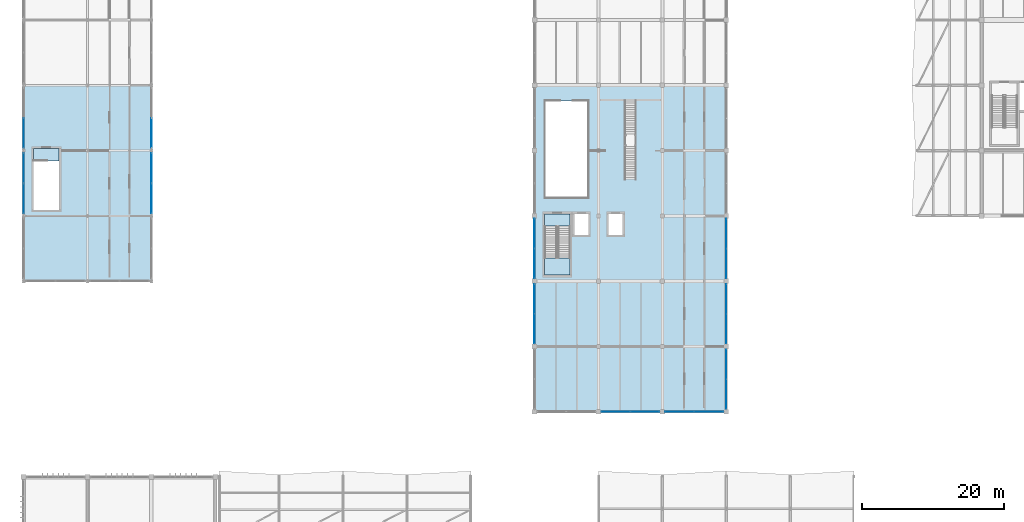
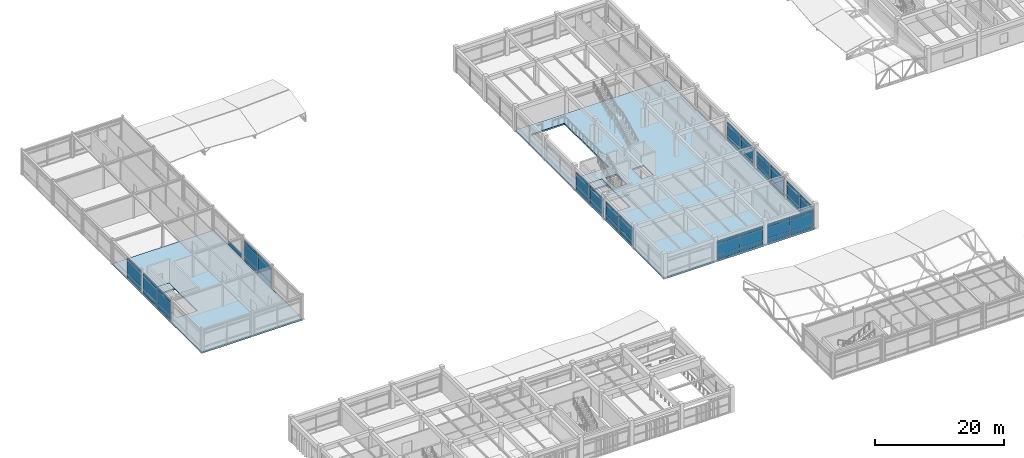
# One storey, part 55 of 90: 58 plates, 5 slabs, 12 elements without a shape of their own.
"""IFC4 building model written with IfcOpenShell, lengths in metres."""

from ifc_helpers import new_model, si_unit, direction, frame, origin, origin_2d, place, context, subcontext, project, spatial, polyline, rectangle, outline, extrude, material, layer, layer_set, type_object, element, aggregate, save


model = new_model("IFC4")

# Units and contexts
model_context = context("Model", 3, precision=1e-05, world=origin(), true_north=direction((0.0, 1.0)))
body_context = subcontext(model_context, "Body", "Model", "MODEL_VIEW")
ifc_project = project(units=[si_unit("LENGTHUNIT", "METRE"), si_unit("AREAUNIT", "SQUARE_METRE"), si_unit("VOLUMEUNIT", "CUBIC_METRE"), si_unit("PLANEANGLEUNIT", "RADIAN"), si_unit("MASSUNIT", "GRAM", prefix="KILO")], contexts=[model_context])

# Site, building, storey
site_placement = place(None, origin())
site = spatial("IfcSite", under=ifc_project, at=site_placement, CompositionType="ELEMENT")
building_placement = place(site_placement, origin())
building = spatial("IfcBuilding", under=site, at=building_placement, Name="Bozkorgan Art Gallery", CompositionType="ELEMENT")
storey_placement = place(building_placement, frame((0.0, 0.0, 5.39990234375)))
storey = spatial("IfcBuildingStorey", under=building, at=storey_placement, Name="L01", CompositionType="ELEMENT", Elevation=5.39990234375)

# Curtain wall, plates
ifc_material_1 = material(Name="Anodised Bronze Aluminium", Category="aluminium")
curtain_wall_type_1 = type_object("IfcCurtainWallType", Name="CW-CW-52", PredefinedType="NOTDEFINED", material=ifc_material_1)
curtain_wall_1_placement = place(storey_placement, origin())
curtain_wall_1 = element("IfcCurtainWall", 1, at=curtain_wall_1_placement, inside=storey, type_object=curtain_wall_type_1, Name="L01 unitised curtain wall CW-V2-L01-1W-07", PredefinedType="NOTDEFINED")
ifc_material_2 = material(Name="Triple Low-E Laminated Glass", Category="glass")
ifc_layer_1 = layer(ifc_material_2, 0.0439453125, Name="Triple Low-E Laminated Glass")
ifc_layer_set_1 = layer_set([ifc_layer_1], Name="Triple Low-E Laminated Glass")
plate_type = type_object("IfcPlateType", Name="CWP-GLZ", PredefinedType="CURTAIN_PANEL", material=ifc_layer_set_1)
plate_1_placement = place(storey_placement, frame((2.0, 68.476318359375, 0.10009765625), z_axis=(0.0, 0.0, 1.0), x_axis=(0.0, 1.0, 0.0)))
plate_1 = element("IfcPlate", 2, at=plate_1_placement, type_object=plate_type, Name="CW-52 panel 1.1", PredefinedType="CURTAIN_PANEL", context=body_context, shape_type="SweptSolid", body=[
    extrude(rectangle(XDim=4.172607421875, YDim=0.0439453125, at=origin_2d()), origin(), (0.0, 0.0, 1.0), 0.780029296875),
])
plate_2_placement = place(storey_placement, frame((2.0, 68.476318359375, 0.9599609375), z_axis=(0.0, 0.0, 1.0), x_axis=(0.0, 1.0, 0.0)))
plate_2 = element("IfcPlate", 3, at=plate_2_placement, type_object=plate_type, Name="CW-52 panel 1.2", PredefinedType="CURTAIN_PANEL", context=body_context, shape_type="SweptSolid", body=[
    extrude(rectangle(XDim=4.172607421875, YDim=0.0439453125, at=origin_2d()), origin(), (0.0, 0.0, 1.0), 2.445068359375),
])
plate_3_placement = place(storey_placement, frame((2.0, 68.476318359375, 3.48486328125), z_axis=(0.0, 0.0, 1.0), x_axis=(0.0, 1.0, 0.0)))
plate_3 = element("IfcPlate", 4, at=plate_3_placement, type_object=plate_type, Name="CW-52 panel 1.3", PredefinedType="CURTAIN_PANEL", context=body_context, shape_type="SweptSolid", body=[
    extrude(rectangle(XDim=4.172607421875, YDim=0.0439453125, at=origin_2d()), origin(), (0.0, 0.0, 1.0), 0.530029296875),
])
plate_4_placement = place(storey_placement, frame((2.0, 72.7236328125, 0.10009765625), z_axis=(0.0, 0.0, 1.0), x_axis=(0.0, 1.0, 0.0)))
plate_4 = element("IfcPlate", 5, at=plate_4_placement, type_object=plate_type, Name="CW-52 panel 2.1", PredefinedType="CURTAIN_PANEL", context=body_context, shape_type="SweptSolid", body=[
    extrude(rectangle(XDim=4.172607421875, YDim=0.0439453125, at=origin_2d()), origin(), (0.0, 0.0, 1.0), 0.780029296875),
])
plate_5_placement = place(storey_placement, frame((2.0, 72.7236328125, 0.9599609375), z_axis=(0.0, 0.0, 1.0), x_axis=(0.0, 1.0, 0.0)))
plate_5 = element("IfcPlate", 6, at=plate_5_placement, type_object=plate_type, Name="CW-52 panel 2.2", PredefinedType="CURTAIN_PANEL", context=body_context, shape_type="SweptSolid", body=[
    extrude(rectangle(XDim=4.172607421875, YDim=0.0439453125, at=origin_2d()), origin(), (0.0, 0.0, 1.0), 2.445068359375),
])
plate_6_placement = place(storey_placement, frame((2.0, 72.7236328125, 3.48486328125), z_axis=(0.0, 0.0, 1.0), x_axis=(0.0, 1.0, 0.0)))
plate_6 = element("IfcPlate", 7, at=plate_6_placement, type_object=plate_type, Name="CW-52 panel 2.3", PredefinedType="CURTAIN_PANEL", context=body_context, shape_type="SweptSolid", body=[
    extrude(rectangle(XDim=4.172607421875, YDim=0.0439453125, at=origin_2d()), origin(), (0.0, 0.0, 1.0), 0.530029296875),
])
aggregate(curtain_wall_1, [plate_1, plate_2, plate_3, plate_4, plate_5, plate_6])

curtain_wall_2_placement = place(storey_placement, origin())
curtain_wall_2 = element("IfcCurtainWall", 8, at=curtain_wall_2_placement, inside=storey, type_object=curtain_wall_type_1, Name="L01 unitised curtain wall CW-V2-L01-1E-08", PredefinedType="NOTDEFINED")
plate_7_placement = place(storey_placement, frame((20.0, 68.476318359375, 0.10009765625), z_axis=(0.0, 0.0, 1.0), x_axis=(0.0, 1.0, 0.0)))
plate_7 = element("IfcPlate", 9, at=plate_7_placement, type_object=plate_type, Name="CW-52 panel 1.1", PredefinedType="CURTAIN_PANEL", context=body_context, shape_type="SweptSolid", body=[
    extrude(rectangle(XDim=4.172607421875, YDim=0.0439453125, at=origin_2d()), origin(), (0.0, 0.0, 1.0), 0.780029296875),
])
plate_8_placement = place(storey_placement, frame((20.0, 68.476318359375, 0.9599609375), z_axis=(0.0, 0.0, 1.0), x_axis=(0.0, 1.0, 0.0)))
plate_8 = element("IfcPlate", 10, at=plate_8_placement, type_object=plate_type, Name="CW-52 panel 1.2", PredefinedType="CURTAIN_PANEL", context=body_context, shape_type="SweptSolid", body=[
    extrude(rectangle(XDim=4.172607421875, YDim=0.0439453125, at=origin_2d()), origin(), (0.0, 0.0, 1.0), 2.445068359375),
])
plate_9_placement = place(storey_placement, frame((20.0, 68.476318359375, 3.48486328125), z_axis=(0.0, 0.0, 1.0), x_axis=(0.0, 1.0, 0.0)))
plate_9 = element("IfcPlate", 11, at=plate_9_placement, type_object=plate_type, Name="CW-52 panel 1.3", PredefinedType="CURTAIN_PANEL", context=body_context, shape_type="SweptSolid", body=[
    extrude(rectangle(XDim=4.172607421875, YDim=0.0439453125, at=origin_2d()), origin(), (0.0, 0.0, 1.0), 0.530029296875),
])
plate_10_placement = place(storey_placement, frame((20.0, 72.7236328125, 0.10009765625), z_axis=(0.0, 0.0, 1.0), x_axis=(0.0, 1.0, 0.0)))
plate_10 = element("IfcPlate", 12, at=plate_10_placement, type_object=plate_type, Name="CW-52 panel 2.1", PredefinedType="CURTAIN_PANEL", context=body_context, shape_type="SweptSolid", body=[
    extrude(rectangle(XDim=4.172607421875, YDim=0.0439453125, at=origin_2d()), origin(), (0.0, 0.0, 1.0), 0.780029296875),
])
plate_11_placement = place(storey_placement, frame((20.0, 72.7236328125, 0.9599609375), z_axis=(0.0, 0.0, 1.0), x_axis=(0.0, 1.0, 0.0)))
plate_11 = element("IfcPlate", 13, at=plate_11_placement, type_object=plate_type, Name="CW-52 panel 2.2", PredefinedType="CURTAIN_PANEL", context=body_context, shape_type="SweptSolid", body=[
    extrude(rectangle(XDim=4.172607421875, YDim=0.0439453125, at=origin_2d()), origin(), (0.0, 0.0, 1.0), 2.445068359375),
])
plate_12_placement = place(storey_placement, frame((20.0, 72.7236328125, 3.48486328125), z_axis=(0.0, 0.0, 1.0), x_axis=(0.0, 1.0, 0.0)))
plate_12 = element("IfcPlate", 14, at=plate_12_placement, type_object=plate_type, Name="CW-52 panel 2.3", PredefinedType="CURTAIN_PANEL", context=body_context, shape_type="SweptSolid", body=[
    extrude(rectangle(XDim=4.172607421875, YDim=0.0439453125, at=origin_2d()), origin(), (0.0, 0.0, 1.0), 0.530029296875),
])
aggregate(curtain_wall_2, [plate_7, plate_8, plate_9, plate_10, plate_11, plate_12])

curtain_wall_3_placement = place(storey_placement, origin())
curtain_wall_3 = element("IfcCurtainWall", 15, at=curtain_wall_3_placement, inside=storey, type_object=curtain_wall_type_1, Name="L01 unitised curtain wall CW-V2-L01-1W-09", PredefinedType="NOTDEFINED")
plate_13_placement = place(storey_placement, frame((2.0, 77.67626953125, 0.10009765625), z_axis=(0.0, 0.0, 1.0), x_axis=(0.0, 1.0, 0.0)))
plate_13 = element("IfcPlate", 16, at=plate_13_placement, type_object=plate_type, Name="CW-52 panel 1.1", PredefinedType="CURTAIN_PANEL", context=body_context, shape_type="SweptSolid", body=[
    extrude(rectangle(XDim=4.172607421875, YDim=0.0439453125, at=origin_2d()), origin(), (0.0, 0.0, 1.0), 0.780029296875),
])
plate_14_placement = place(storey_placement, frame((2.0, 77.67626953125, 0.9599609375), z_axis=(0.0, 0.0, 1.0), x_axis=(0.0, 1.0, 0.0)))
plate_14 = element("IfcPlate", 17, at=plate_14_placement, type_object=plate_type, Name="CW-52 panel 1.2", PredefinedType="CURTAIN_PANEL", context=body_context, shape_type="SweptSolid", body=[
    extrude(rectangle(XDim=4.172607421875, YDim=0.0439453125, at=origin_2d()), origin(), (0.0, 0.0, 1.0), 2.445068359375),
])
plate_15_placement = place(storey_placement, frame((2.0, 77.67626953125, 3.48486328125), z_axis=(0.0, 0.0, 1.0), x_axis=(0.0, 1.0, 0.0)))
plate_15 = element("IfcPlate", 18, at=plate_15_placement, type_object=plate_type, Name="CW-52 panel 1.3", PredefinedType="CURTAIN_PANEL", context=body_context, shape_type="SweptSolid", body=[
    extrude(rectangle(XDim=4.172607421875, YDim=0.0439453125, at=origin_2d()), origin(), (0.0, 0.0, 1.0), 0.530029296875),
])
aggregate(curtain_wall_3, [plate_13, plate_14, plate_15])

# Curtain wall, plate
curtain_wall_4_placement = place(storey_placement, origin())
curtain_wall_4 = element("IfcCurtainWall", 19, at=curtain_wall_4_placement, inside=storey, type_object=curtain_wall_type_1, Name="L01 unitised curtain wall CW-V2-L01-1E-10", PredefinedType="NOTDEFINED")
plate_16_placement = place(storey_placement, frame((20.0, 77.67626953125, 0.10009765625), z_axis=(0.0, 0.0, 1.0), x_axis=(0.0, 1.0, 0.0)))
plate_16 = element("IfcPlate", 20, at=plate_16_placement, type_object=plate_type, Name="CW-52 panel 1.1", PredefinedType="CURTAIN_PANEL", context=body_context, shape_type="SweptSolid", body=[
    extrude(rectangle(XDim=4.172607421875, YDim=0.0439453125, at=origin_2d()), origin(), (0.0, 0.0, 1.0), 0.780029296875),
])
aggregate(curtain_wall_4, [plate_16])

# Curtain wall, plates
curtain_wall_type_2 = type_object("IfcCurtainWallType", Name="CW-CW-19", PredefinedType="NOTDEFINED", material=ifc_material_1)
curtain_wall_5_placement = place(storey_placement, origin())
curtain_wall_5 = element("IfcCurtainWall", 21, at=curtain_wall_5_placement, inside=storey, type_object=curtain_wall_type_2, Name="L01 unitised curtain wall CW-V4-L01-1S-03", PredefinedType="NOTDEFINED")
plate_17_placement = place(storey_placement, frame((85.44873046875, 38.39990234375, 0.094970703125), z_axis=(0.0, 0.0, 1.0), x_axis=(1.0, 0.0, 0.0)))
plate_17 = element("IfcPlate", 22, at=plate_17_placement, type_object=plate_type, Name="CW-19 panel 1.1", PredefinedType="CURTAIN_PANEL", context=body_context, shape_type="SweptSolid", body=[
    extrude(rectangle(XDim=4.03759765625, YDim=0.0439453125, at=origin_2d()), origin(), (0.0, 0.0, 1.0), 0.78759765625),
])
plate_18_placement = place(storey_placement, frame((85.44873046875, 38.39990234375, 0.95751953125), z_axis=(0.0, 0.0, 1.0), x_axis=(1.0, 0.0, 0.0)))
plate_18 = element("IfcPlate", 23, at=plate_18_placement, type_object=plate_type, Name="CW-19 panel 1.2", PredefinedType="CURTAIN_PANEL", context=body_context, shape_type="SweptSolid", body=[
    extrude(rectangle(XDim=4.03759765625, YDim=0.0439453125, at=origin_2d()), origin(), (0.0, 0.0, 1.0), 2.030029296875),
])
plate_19_placement = place(storey_placement, frame((85.44873046875, 38.39990234375, 3.0625), z_axis=(0.0, 0.0, 1.0), x_axis=(1.0, 0.0, 0.0)))
plate_19 = element("IfcPlate", 24, at=plate_19_placement, type_object=plate_type, Name="CW-19 panel 1.3", PredefinedType="CURTAIN_PANEL", context=body_context, shape_type="SweptSolid", body=[
    extrude(rectangle(XDim=4.03759765625, YDim=0.0439453125, at=origin_2d()), origin(), (0.0, 0.0, 1.0), 0.53759765625),
])
plate_20_placement = place(storey_placement, frame((89.55126953125, 38.39990234375, 0.094970703125), z_axis=(0.0, 0.0, 1.0), x_axis=(1.0, 0.0, 0.0)))
plate_20 = element("IfcPlate", 25, at=plate_20_placement, type_object=plate_type, Name="CW-19 panel 2.1", PredefinedType="CURTAIN_PANEL", context=body_context, shape_type="SweptSolid", body=[
    extrude(rectangle(XDim=4.03759765625, YDim=0.0439453125, at=origin_2d()), origin(), (0.0, 0.0, 1.0), 0.78759765625),
])
plate_21_placement = place(storey_placement, frame((89.55126953125, 38.39990234375, 0.95751953125), z_axis=(0.0, 0.0, 1.0), x_axis=(1.0, 0.0, 0.0)))
plate_21 = element("IfcPlate", 26, at=plate_21_placement, type_object=plate_type, Name="CW-19 panel 2.2", PredefinedType="CURTAIN_PANEL", context=body_context, shape_type="SweptSolid", body=[
    extrude(rectangle(XDim=4.03759765625, YDim=0.0439453125, at=origin_2d()), origin(), (0.0, 0.0, 1.0), 2.030029296875),
])
plate_22_placement = place(storey_placement, frame((89.55126953125, 38.39990234375, 3.0625), z_axis=(0.0, 0.0, 1.0), x_axis=(1.0, 0.0, 0.0)))
plate_22 = element("IfcPlate", 27, at=plate_22_placement, type_object=plate_type, Name="CW-19 panel 2.3", PredefinedType="CURTAIN_PANEL", context=body_context, shape_type="SweptSolid", body=[
    extrude(rectangle(XDim=4.03759765625, YDim=0.0439453125, at=origin_2d()), origin(), (0.0, 0.0, 1.0), 0.53759765625),
])
aggregate(curtain_wall_5, [plate_17, plate_18, plate_19, plate_20, plate_21, plate_22])

curtain_wall_6_placement = place(storey_placement, origin())
curtain_wall_6 = element("IfcCurtainWall", 28, at=curtain_wall_6_placement, inside=storey, type_object=curtain_wall_type_2, Name="L01 unitised curtain wall CW-V4-L01-1S-05", PredefinedType="NOTDEFINED")
plate_23_placement = place(storey_placement, frame((94.44873046875, 38.39990234375, 0.094970703125), z_axis=(0.0, 0.0, 1.0), x_axis=(1.0, 0.0, 0.0)))
plate_23 = element("IfcPlate", 29, at=plate_23_placement, type_object=plate_type, Name="CW-19 panel 1.1", PredefinedType="CURTAIN_PANEL", context=body_context, shape_type="SweptSolid", body=[
    extrude(rectangle(XDim=4.03759765625, YDim=0.0439453125, at=origin_2d()), origin(), (0.0, 0.0, 1.0), 0.78759765625),
])
plate_24_placement = place(storey_placement, frame((94.44873046875, 38.39990234375, 0.95751953125), z_axis=(0.0, 0.0, 1.0), x_axis=(1.0, 0.0, 0.0)))
plate_24 = element("IfcPlate", 30, at=plate_24_placement, type_object=plate_type, Name="CW-19 panel 1.2", PredefinedType="CURTAIN_PANEL", context=body_context, shape_type="SweptSolid", body=[
    extrude(rectangle(XDim=4.03759765625, YDim=0.0439453125, at=origin_2d()), origin(), (0.0, 0.0, 1.0), 2.030029296875),
])
plate_25_placement = place(storey_placement, frame((94.44873046875, 38.39990234375, 3.0625), z_axis=(0.0, 0.0, 1.0), x_axis=(1.0, 0.0, 0.0)))
plate_25 = element("IfcPlate", 31, at=plate_25_placement, type_object=plate_type, Name="CW-19 panel 1.3", PredefinedType="CURTAIN_PANEL", context=body_context, shape_type="SweptSolid", body=[
    extrude(rectangle(XDim=4.03759765625, YDim=0.0439453125, at=origin_2d()), origin(), (0.0, 0.0, 1.0), 0.53759765625),
])
plate_26_placement = place(storey_placement, frame((98.55126953125, 38.39990234375, 0.094970703125), z_axis=(0.0, 0.0, 1.0), x_axis=(1.0, 0.0, 0.0)))
plate_26 = element("IfcPlate", 32, at=plate_26_placement, type_object=plate_type, Name="CW-19 panel 2.1", PredefinedType="CURTAIN_PANEL", context=body_context, shape_type="SweptSolid", body=[
    extrude(rectangle(XDim=4.03759765625, YDim=0.0439453125, at=origin_2d()), origin(), (0.0, 0.0, 1.0), 0.78759765625),
])
plate_27_placement = place(storey_placement, frame((98.55126953125, 38.39990234375, 0.95751953125), z_axis=(0.0, 0.0, 1.0), x_axis=(1.0, 0.0, 0.0)))
plate_27 = element("IfcPlate", 33, at=plate_27_placement, type_object=plate_type, Name="CW-19 panel 2.2", PredefinedType="CURTAIN_PANEL", context=body_context, shape_type="SweptSolid", body=[
    extrude(rectangle(XDim=4.03759765625, YDim=0.0439453125, at=origin_2d()), origin(), (0.0, 0.0, 1.0), 2.030029296875),
])
plate_28_placement = place(storey_placement, frame((98.55126953125, 38.39990234375, 3.0625), z_axis=(0.0, 0.0, 1.0), x_axis=(1.0, 0.0, 0.0)))
plate_28 = element("IfcPlate", 34, at=plate_28_placement, type_object=plate_type, Name="CW-19 panel 2.3", PredefinedType="CURTAIN_PANEL", context=body_context, shape_type="SweptSolid", body=[
    extrude(rectangle(XDim=4.03759765625, YDim=0.0439453125, at=origin_2d()), origin(), (0.0, 0.0, 1.0), 0.53759765625),
])
aggregate(curtain_wall_6, [plate_23, plate_24, plate_25, plate_26, plate_27, plate_28])

curtain_wall_type_3 = type_object("IfcCurtainWallType", Name="CW-CW-16", PredefinedType="NOTDEFINED", material=ifc_material_1)
curtain_wall_7_placement = place(storey_placement, origin())
curtain_wall_7 = element("IfcCurtainWall", 35, at=curtain_wall_7_placement, inside=storey, type_object=curtain_wall_type_3, Name="L01 unitised curtain wall CW-V4-L01-1E-08", PredefinedType="NOTDEFINED")
plate_29_placement = place(storey_placement, frame((101.0, 40.898681640625, 0.10009765625), z_axis=(0.0, 0.0, 1.0), x_axis=(0.0, 1.0, 0.0)))
plate_29 = element("IfcPlate", 36, at=plate_29_placement, type_object=plate_type, Name="CW-16 panel 1.1", PredefinedType="CURTAIN_PANEL", context=body_context, shape_type="SweptSolid", body=[
    extrude(rectangle(XDim=4.137451171875, YDim=0.0439453125, at=origin_2d()), origin(), (0.0, 0.0, 1.0), 0.780029296875),
])
plate_30_placement = place(storey_placement, frame((101.0, 40.898681640625, 0.960205078125), z_axis=(0.0, 0.0, 1.0), x_axis=(0.0, 1.0, 0.0)))
plate_30 = element("IfcPlate", 37, at=plate_30_placement, type_object=plate_type, Name="CW-16 panel 1.2", PredefinedType="CURTAIN_PANEL", context=body_context, shape_type="SweptSolid", body=[
    extrude(rectangle(XDim=4.137451171875, YDim=0.0439453125, at=origin_2d()), origin(), (0.0, 0.0, 1.0), 2.02490234375),
])
plate_31_placement = place(storey_placement, frame((101.0, 40.898681640625, 3.06494140625), z_axis=(0.0, 0.0, 1.0), x_axis=(0.0, 1.0, 0.0)))
plate_31 = element("IfcPlate", 38, at=plate_31_placement, type_object=plate_type, Name="CW-16 panel 1.3", PredefinedType="CURTAIN_PANEL", context=body_context, shape_type="SweptSolid", body=[
    extrude(rectangle(XDim=4.137451171875, YDim=0.0439453125, at=origin_2d()), origin(), (0.0, 0.0, 1.0), 0.530029296875),
])
plate_32_placement = place(storey_placement, frame((101.0, 45.101318359375, 0.10009765625), z_axis=(0.0, 0.0, 1.0), x_axis=(0.0, 1.0, 0.0)))
plate_32 = element("IfcPlate", 39, at=plate_32_placement, type_object=plate_type, Name="CW-16 panel 2.1", PredefinedType="CURTAIN_PANEL", context=body_context, shape_type="SweptSolid", body=[
    extrude(rectangle(XDim=4.137451171875, YDim=0.0439453125, at=origin_2d()), origin(), (0.0, 0.0, 1.0), 0.780029296875),
])
plate_33_placement = place(storey_placement, frame((101.0, 45.101318359375, 0.960205078125), z_axis=(0.0, 0.0, 1.0), x_axis=(0.0, 1.0, 0.0)))
plate_33 = element("IfcPlate", 40, at=plate_33_placement, type_object=plate_type, Name="CW-16 panel 2.2", PredefinedType="CURTAIN_PANEL", context=body_context, shape_type="SweptSolid", body=[
    extrude(rectangle(XDim=4.137451171875, YDim=0.0439453125, at=origin_2d()), origin(), (0.0, 0.0, 1.0), 2.02490234375),
])
plate_34_placement = place(storey_placement, frame((101.0, 45.101318359375, 3.06494140625), z_axis=(0.0, 0.0, 1.0), x_axis=(0.0, 1.0, 0.0)))
plate_34 = element("IfcPlate", 41, at=plate_34_placement, type_object=plate_type, Name="CW-16 panel 2.3", PredefinedType="CURTAIN_PANEL", context=body_context, shape_type="SweptSolid", body=[
    extrude(rectangle(XDim=4.137451171875, YDim=0.0439453125, at=origin_2d()), origin(), (0.0, 0.0, 1.0), 0.530029296875),
])
aggregate(curtain_wall_7, [plate_29, plate_30, plate_31, plate_32, plate_33, plate_34])

curtain_wall_8_placement = place(storey_placement, origin())
curtain_wall_8 = element("IfcCurtainWall", 42, at=curtain_wall_8_placement, inside=storey, type_object=curtain_wall_type_3, Name="L01 unitised curtain wall CW-V4-L01-1W-09", PredefinedType="NOTDEFINED")
plate_35_placement = place(storey_placement, frame((74.0, 50.0986328125, 0.10009765625), z_axis=(0.0, 0.0, 1.0), x_axis=(0.0, 1.0, 0.0)))
plate_35 = element("IfcPlate", 43, at=plate_35_placement, type_object=plate_type, Name="CW-16 panel 1.1", PredefinedType="CURTAIN_PANEL", context=body_context, shape_type="SweptSolid", body=[
    extrude(rectangle(XDim=4.137451171875, YDim=0.0439453125, at=origin_2d()), origin(), (0.0, 0.0, 1.0), 0.780029296875),
])
plate_36_placement = place(storey_placement, frame((74.0, 50.0986328125, 0.960205078125), z_axis=(0.0, 0.0, 1.0), x_axis=(0.0, 1.0, 0.0)))
plate_36 = element("IfcPlate", 44, at=plate_36_placement, type_object=plate_type, Name="CW-16 panel 1.2", PredefinedType="CURTAIN_PANEL", context=body_context, shape_type="SweptSolid", body=[
    extrude(rectangle(XDim=4.137451171875, YDim=0.0439453125, at=origin_2d()), origin(), (0.0, 0.0, 1.0), 2.02490234375),
])
plate_37_placement = place(storey_placement, frame((74.0, 50.0986328125, 3.06494140625), z_axis=(0.0, 0.0, 1.0), x_axis=(0.0, 1.0, 0.0)))
plate_37 = element("IfcPlate", 45, at=plate_37_placement, type_object=plate_type, Name="CW-16 panel 1.3", PredefinedType="CURTAIN_PANEL", context=body_context, shape_type="SweptSolid", body=[
    extrude(rectangle(XDim=4.137451171875, YDim=0.0439453125, at=origin_2d()), origin(), (0.0, 0.0, 1.0), 0.530029296875),
])
plate_38_placement = place(storey_placement, frame((74.0, 54.30126953125, 0.10009765625), z_axis=(0.0, 0.0, 1.0), x_axis=(0.0, 1.0, 0.0)))
plate_38 = element("IfcPlate", 46, at=plate_38_placement, type_object=plate_type, Name="CW-16 panel 2.1", PredefinedType="CURTAIN_PANEL", context=body_context, shape_type="SweptSolid", body=[
    extrude(rectangle(XDim=4.137451171875, YDim=0.0439453125, at=origin_2d()), origin(), (0.0, 0.0, 1.0), 0.780029296875),
])
plate_39_placement = place(storey_placement, frame((74.0, 54.30126953125, 0.960205078125), z_axis=(0.0, 0.0, 1.0), x_axis=(0.0, 1.0, 0.0)))
plate_39 = element("IfcPlate", 47, at=plate_39_placement, type_object=plate_type, Name="CW-16 panel 2.2", PredefinedType="CURTAIN_PANEL", context=body_context, shape_type="SweptSolid", body=[
    extrude(rectangle(XDim=4.137451171875, YDim=0.0439453125, at=origin_2d()), origin(), (0.0, 0.0, 1.0), 2.02490234375),
])
plate_40_placement = place(storey_placement, frame((74.0, 54.30126953125, 3.06494140625), z_axis=(0.0, 0.0, 1.0), x_axis=(0.0, 1.0, 0.0)))
plate_40 = element("IfcPlate", 48, at=plate_40_placement, type_object=plate_type, Name="CW-16 panel 2.3", PredefinedType="CURTAIN_PANEL", context=body_context, shape_type="SweptSolid", body=[
    extrude(rectangle(XDim=4.137451171875, YDim=0.0439453125, at=origin_2d()), origin(), (0.0, 0.0, 1.0), 0.530029296875),
])
aggregate(curtain_wall_8, [plate_35, plate_36, plate_37, plate_38, plate_39, plate_40])

curtain_wall_9_placement = place(storey_placement, origin())
curtain_wall_9 = element("IfcCurtainWall", 49, at=curtain_wall_9_placement, inside=storey, type_object=curtain_wall_type_3, Name="L01 unitised curtain wall CW-V4-L01-1E-10", PredefinedType="NOTDEFINED")
plate_41_placement = place(storey_placement, frame((101.0, 50.0986328125, 0.10009765625), z_axis=(0.0, 0.0, 1.0), x_axis=(0.0, 1.0, 0.0)))
plate_41 = element("IfcPlate", 50, at=plate_41_placement, type_object=plate_type, Name="CW-16 panel 1.1", PredefinedType="CURTAIN_PANEL", context=body_context, shape_type="SweptSolid", body=[
    extrude(rectangle(XDim=4.137451171875, YDim=0.0439453125, at=origin_2d()), origin(), (0.0, 0.0, 1.0), 0.780029296875),
])
plate_42_placement = place(storey_placement, frame((101.0, 50.0986328125, 0.960205078125), z_axis=(0.0, 0.0, 1.0), x_axis=(0.0, 1.0, 0.0)))
plate_42 = element("IfcPlate", 51, at=plate_42_placement, type_object=plate_type, Name="CW-16 panel 1.2", PredefinedType="CURTAIN_PANEL", context=body_context, shape_type="SweptSolid", body=[
    extrude(rectangle(XDim=4.137451171875, YDim=0.0439453125, at=origin_2d()), origin(), (0.0, 0.0, 1.0), 2.02490234375),
])
plate_43_placement = place(storey_placement, frame((101.0, 50.0986328125, 3.06494140625), z_axis=(0.0, 0.0, 1.0), x_axis=(0.0, 1.0, 0.0)))
plate_43 = element("IfcPlate", 52, at=plate_43_placement, type_object=plate_type, Name="CW-16 panel 1.3", PredefinedType="CURTAIN_PANEL", context=body_context, shape_type="SweptSolid", body=[
    extrude(rectangle(XDim=4.137451171875, YDim=0.0439453125, at=origin_2d()), origin(), (0.0, 0.0, 1.0), 0.530029296875),
])
plate_44_placement = place(storey_placement, frame((101.0, 54.30126953125, 0.10009765625), z_axis=(0.0, 0.0, 1.0), x_axis=(0.0, 1.0, 0.0)))
plate_44 = element("IfcPlate", 53, at=plate_44_placement, type_object=plate_type, Name="CW-16 panel 2.1", PredefinedType="CURTAIN_PANEL", context=body_context, shape_type="SweptSolid", body=[
    extrude(rectangle(XDim=4.137451171875, YDim=0.0439453125, at=origin_2d()), origin(), (0.0, 0.0, 1.0), 0.780029296875),
])
plate_45_placement = place(storey_placement, frame((101.0, 54.30126953125, 0.960205078125), z_axis=(0.0, 0.0, 1.0), x_axis=(0.0, 1.0, 0.0)))
plate_45 = element("IfcPlate", 54, at=plate_45_placement, type_object=plate_type, Name="CW-16 panel 2.2", PredefinedType="CURTAIN_PANEL", context=body_context, shape_type="SweptSolid", body=[
    extrude(rectangle(XDim=4.137451171875, YDim=0.0439453125, at=origin_2d()), origin(), (0.0, 0.0, 1.0), 2.02490234375),
])
plate_46_placement = place(storey_placement, frame((101.0, 54.30126953125, 3.06494140625), z_axis=(0.0, 0.0, 1.0), x_axis=(0.0, 1.0, 0.0)))
plate_46 = element("IfcPlate", 55, at=plate_46_placement, type_object=plate_type, Name="CW-16 panel 2.3", PredefinedType="CURTAIN_PANEL", context=body_context, shape_type="SweptSolid", body=[
    extrude(rectangle(XDim=4.137451171875, YDim=0.0439453125, at=origin_2d()), origin(), (0.0, 0.0, 1.0), 0.530029296875),
])
aggregate(curtain_wall_9, [plate_41, plate_42, plate_43, plate_44, plate_45, plate_46])

curtain_wall_10_placement = place(storey_placement, origin())
curtain_wall_10 = element("IfcCurtainWall", 56, at=curtain_wall_10_placement, inside=storey, type_object=curtain_wall_type_3, Name="L01 unitised curtain wall CW-V4-L01-1W-11", PredefinedType="NOTDEFINED")
plate_47_placement = place(storey_placement, frame((74.0, 59.298828125, 0.10009765625), z_axis=(0.0, 0.0, 1.0), x_axis=(0.0, 1.0, 0.0)))
plate_47 = element("IfcPlate", 57, at=plate_47_placement, type_object=plate_type, Name="CW-16 panel 1.1", PredefinedType="CURTAIN_PANEL", context=body_context, shape_type="SweptSolid", body=[
    extrude(rectangle(XDim=4.137451171875, YDim=0.0439453125, at=origin_2d()), origin(), (0.0, 0.0, 1.0), 0.780029296875),
])
plate_48_placement = place(storey_placement, frame((74.0, 59.298828125, 0.960205078125), z_axis=(0.0, 0.0, 1.0), x_axis=(0.0, 1.0, 0.0)))
plate_48 = element("IfcPlate", 58, at=plate_48_placement, type_object=plate_type, Name="CW-16 panel 1.2", PredefinedType="CURTAIN_PANEL", context=body_context, shape_type="SweptSolid", body=[
    extrude(rectangle(XDim=4.137451171875, YDim=0.0439453125, at=origin_2d()), origin(), (0.0, 0.0, 1.0), 2.02490234375),
])
plate_49_placement = place(storey_placement, frame((74.0, 59.298828125, 3.06494140625), z_axis=(0.0, 0.0, 1.0), x_axis=(0.0, 1.0, 0.0)))
plate_49 = element("IfcPlate", 59, at=plate_49_placement, type_object=plate_type, Name="CW-16 panel 1.3", PredefinedType="CURTAIN_PANEL", context=body_context, shape_type="SweptSolid", body=[
    extrude(rectangle(XDim=4.137451171875, YDim=0.0439453125, at=origin_2d()), origin(), (0.0, 0.0, 1.0), 0.530029296875),
])
plate_50_placement = place(storey_placement, frame((74.0, 63.501220703125, 0.10009765625), z_axis=(0.0, 0.0, 1.0), x_axis=(0.0, 1.0, 0.0)))
plate_50 = element("IfcPlate", 60, at=plate_50_placement, type_object=plate_type, Name="CW-16 panel 2.1", PredefinedType="CURTAIN_PANEL", context=body_context, shape_type="SweptSolid", body=[
    extrude(rectangle(XDim=4.137451171875, YDim=0.0439453125, at=origin_2d()), origin(), (0.0, 0.0, 1.0), 0.780029296875),
])
plate_51_placement = place(storey_placement, frame((74.0, 63.501220703125, 0.960205078125), z_axis=(0.0, 0.0, 1.0), x_axis=(0.0, 1.0, 0.0)))
plate_51 = element("IfcPlate", 61, at=plate_51_placement, type_object=plate_type, Name="CW-16 panel 2.2", PredefinedType="CURTAIN_PANEL", context=body_context, shape_type="SweptSolid", body=[
    extrude(rectangle(XDim=4.137451171875, YDim=0.0439453125, at=origin_2d()), origin(), (0.0, 0.0, 1.0), 2.02490234375),
])
plate_52_placement = place(storey_placement, frame((74.0, 63.501220703125, 3.06494140625), z_axis=(0.0, 0.0, 1.0), x_axis=(0.0, 1.0, 0.0)))
plate_52 = element("IfcPlate", 62, at=plate_52_placement, type_object=plate_type, Name="CW-16 panel 2.3", PredefinedType="CURTAIN_PANEL", context=body_context, shape_type="SweptSolid", body=[
    extrude(rectangle(XDim=4.137451171875, YDim=0.0439453125, at=origin_2d()), origin(), (0.0, 0.0, 1.0), 0.530029296875),
])
aggregate(curtain_wall_10, [plate_47, plate_48, plate_49, plate_50, plate_51, plate_52])

curtain_wall_11_placement = place(storey_placement, origin())
curtain_wall_11 = element("IfcCurtainWall", 63, at=curtain_wall_11_placement, inside=storey, type_object=curtain_wall_type_3, Name="L01 unitised curtain wall CW-V4-L01-1E-12", PredefinedType="NOTDEFINED")
plate_53_placement = place(storey_placement, frame((101.0, 59.298828125, 0.10009765625), z_axis=(0.0, 0.0, 1.0), x_axis=(0.0, 1.0, 0.0)))
plate_53 = element("IfcPlate", 64, at=plate_53_placement, type_object=plate_type, Name="CW-16 panel 1.1", PredefinedType="CURTAIN_PANEL", context=body_context, shape_type="SweptSolid", body=[
    extrude(rectangle(XDim=4.137451171875, YDim=0.0439453125, at=origin_2d()), origin(), (0.0, 0.0, 1.0), 0.780029296875),
])
plate_54_placement = place(storey_placement, frame((101.0, 59.298828125, 0.960205078125), z_axis=(0.0, 0.0, 1.0), x_axis=(0.0, 1.0, 0.0)))
plate_54 = element("IfcPlate", 65, at=plate_54_placement, type_object=plate_type, Name="CW-16 panel 1.2", PredefinedType="CURTAIN_PANEL", context=body_context, shape_type="SweptSolid", body=[
    extrude(rectangle(XDim=4.137451171875, YDim=0.0439453125, at=origin_2d()), origin(), (0.0, 0.0, 1.0), 2.02490234375),
])
plate_55_placement = place(storey_placement, frame((101.0, 59.298828125, 3.06494140625), z_axis=(0.0, 0.0, 1.0), x_axis=(0.0, 1.0, 0.0)))
plate_55 = element("IfcPlate", 66, at=plate_55_placement, type_object=plate_type, Name="CW-16 panel 1.3", PredefinedType="CURTAIN_PANEL", context=body_context, shape_type="SweptSolid", body=[
    extrude(rectangle(XDim=4.137451171875, YDim=0.0439453125, at=origin_2d()), origin(), (0.0, 0.0, 1.0), 0.530029296875),
])
plate_56_placement = place(storey_placement, frame((101.0, 63.501220703125, 0.10009765625), z_axis=(0.0, 0.0, 1.0), x_axis=(0.0, 1.0, 0.0)))
plate_56 = element("IfcPlate", 67, at=plate_56_placement, type_object=plate_type, Name="CW-16 panel 2.1", PredefinedType="CURTAIN_PANEL", context=body_context, shape_type="SweptSolid", body=[
    extrude(rectangle(XDim=4.137451171875, YDim=0.0439453125, at=origin_2d()), origin(), (0.0, 0.0, 1.0), 0.780029296875),
])
plate_57_placement = place(storey_placement, frame((101.0, 63.501220703125, 0.960205078125), z_axis=(0.0, 0.0, 1.0), x_axis=(0.0, 1.0, 0.0)))
plate_57 = element("IfcPlate", 68, at=plate_57_placement, type_object=plate_type, Name="CW-16 panel 2.2", PredefinedType="CURTAIN_PANEL", context=body_context, shape_type="SweptSolid", body=[
    extrude(rectangle(XDim=4.137451171875, YDim=0.0439453125, at=origin_2d()), origin(), (0.0, 0.0, 1.0), 2.02490234375),
])
plate_58_placement = place(storey_placement, frame((101.0, 63.501220703125, 3.06494140625), z_axis=(0.0, 0.0, 1.0), x_axis=(0.0, 1.0, 0.0)))
plate_58 = element("IfcPlate", 69, at=plate_58_placement, type_object=plate_type, Name="CW-16 panel 2.3", PredefinedType="CURTAIN_PANEL", context=body_context, shape_type="SweptSolid", body=[
    extrude(rectangle(XDim=4.137451171875, YDim=0.0439453125, at=origin_2d()), origin(), (0.0, 0.0, 1.0), 0.530029296875),
])
aggregate(curtain_wall_11, [plate_53, plate_54, plate_55, plate_56, plate_57, plate_58])

# Stair, slab
ifc_material_3 = material(Name="Concrete C35/45", Category="concrete")
stair_type = type_object("IfcStairType", Name="STAIR-CORE2", PredefinedType="HALF_TURN_STAIR", material=ifc_material_3)
stair_placement = place(storey_placement, origin())
stair = element("IfcStair", 70, at=stair_placement, inside=storey, type_object=stair_type, Name="L01 ST2 Core Stair", PredefinedType="HALF_TURN_STAIR")
ifc_layer_2 = layer(ifc_material_3, 0.25, Name="Concrete C35/45")
ifc_layer_set_2 = layer_set([ifc_layer_2], Name="Concrete C35/45")
slab_type_1 = type_object("IfcSlabType", Name="LAND-CORE2", PredefinedType="LANDING", material=ifc_layer_set_2)
slab_1_placement = place(storey_placement, frame((0.0, 0.0, 2.2001953125)))
slab_1 = element("IfcSlab", 71, at=slab_1_placement, type_object=slab_type_1, Name="ST2 landing 1", PredefinedType="LANDING", context=body_context, shape_type="SweptSolid", body=[
    extrude(outline(polyline([(75.39990234375, 60.050048828125), (75.39990234375, 57.64990234375), (79.0, 57.64990234375), (79.0, 60.050048828125), (75.39990234375, 60.050048828125)])), origin(), (0.0, 0.0, 1.0), 0.199951171875),
])
aggregate(stair, [slab_1])

# Slabs
slab_2_placement = place(storey_placement, frame((0.0, 0.0, -0.27978515625)))
element("IfcSlab", 72, at=slab_2_placement, inside=storey, type_object=slab_type_1, Name="ST2 L01 floor landing", PredefinedType="LANDING", context=body_context, shape_type="SweptSolid", body=[
    extrude(outline(polyline([(75.39990234375, 64.550048828125), (79.0, 64.550048828125), (79.0, 66.300048828125), (75.39990234375, 66.300048828125), (75.39990234375, 64.550048828125)])), origin(), (0.0, 0.0, 1.0), 0.27978515625),
])
ifc_layer_3 = layer(ifc_material_3, 0.25, Name="Concrete C35/45")
ifc_layer_set_3 = layer_set([ifc_layer_3], Name="Concrete C35/45")
slab_type_2 = type_object("IfcSlabType", Name="LAND-CORE5", PredefinedType="LANDING", material=ifc_layer_set_3)
slab_3_placement = place(storey_placement, frame((0.0, 0.0, -0.260009765625)))
element("IfcSlab", 73, at=slab_3_placement, inside=storey, type_object=slab_type_2, Name="ST5 L01 floor landing", PredefinedType="LANDING", context=body_context, shape_type="SweptSolid", body=[
    extrude(outline(polyline([(3.39990234375, 73.75), (7.0, 73.75), (7.0, 75.5), (3.39990234375, 75.5), (3.39990234375, 73.75)])), origin(), (0.0, 0.0, 1.0), 0.260009765625),
])
ifc_layer_4 = layer(ifc_material_3, 0.260009765625, Name="Concrete C35/45")
ifc_layer_set_4 = layer_set([ifc_layer_4], Name="Concrete C35/45")
slab_type_3 = type_object("IfcSlabType", Name="SLAB-SL-32", PredefinedType="FLOOR", material=ifc_layer_set_4)
slab_4_placement = place(storey_placement, frame((0.0, 0.0, -0.260009765625)))
element("IfcSlab", 74, at=slab_4_placement, inside=storey, type_object=slab_type_3, Name="V2 L01 floor slab 1.1", PredefinedType="FLOOR", context=body_context, shape_type="SweptSolid", body=[
    extrude(outline(polyline([(2.0, 56.800048828125), (20.0, 56.800048828125), (20.0, 84.39990234375), (2.0, 84.39990234375), (2.0, 56.800048828125)]), holes=[polyline([(3.39990234375, 66.85009765625), (7.0, 66.85009765625), (7.0, 75.5), (3.39990234375, 75.5), (3.39990234375, 66.85009765625)])]), origin(), (0.0, 0.0, 1.0), 0.260009765625),
])
ifc_layer_5 = layer(ifc_material_3, 0.280029296875, Name="Concrete C35/45")
ifc_layer_set_5 = layer_set([ifc_layer_5], Name="Concrete C35/45")
slab_type_4 = type_object("IfcSlabType", Name="SLAB-SL-86", PredefinedType="FLOOR", material=ifc_layer_set_5)
slab_5_placement = place(storey_placement, frame((0.0, 0.0, -0.27978515625)))
element("IfcSlab", 75, at=slab_5_placement, inside=storey, type_object=slab_type_4, Name="V4 L01 floor slab 1.1", PredefinedType="FLOOR", context=body_context, shape_type="SweptSolid", body=[
    extrude(outline(polyline([(74.0, 38.39990234375), (101.0, 38.39990234375), (101.0, 84.39990234375), (74.0, 84.39990234375), (74.0, 38.39990234375)]), holes=[polyline([(75.39990234375, 57.64990234375), (79.0, 57.64990234375), (79.0, 66.300048828125), (75.39990234375, 66.300048828125), (75.39990234375, 57.64990234375)]), polyline([(79.60009765625, 63.300048828125), (81.60009765625, 63.300048828125), (81.60009765625, 66.300048828125), (79.60009765625, 66.300048828125), (79.60009765625, 63.300048828125)]), polyline([(84.39990234375, 63.300048828125), (86.39990234375, 63.300048828125), (86.39990234375, 66.300048828125), (84.39990234375, 66.300048828125), (84.39990234375, 63.300048828125)]), polyline([(75.5, 68.60009765625), (81.5, 68.60009765625), (81.5, 82.199951171875), (75.5, 82.199951171875), (75.5, 68.60009765625)])]), origin(), (0.0, 0.0, 1.0), 0.27978515625),
])

save(model, "model.ifc")
